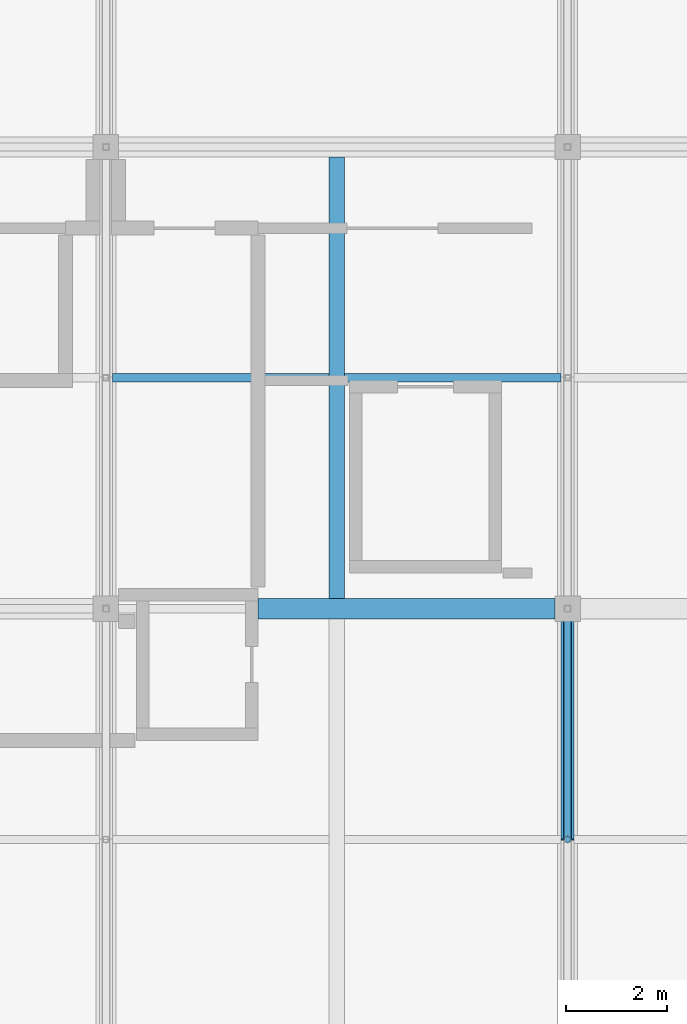
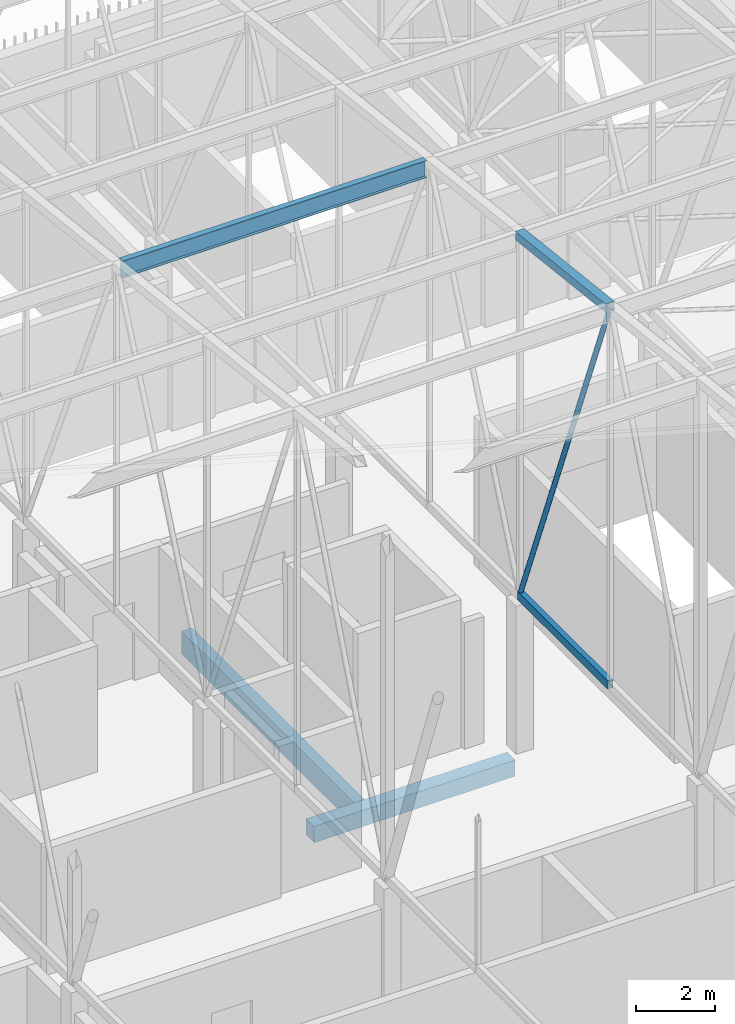
# One storey, part 381 of 500: 4 members, 2 beams.
"""IFC4 building model written with IfcOpenShell, lengths in metres."""

import ifcopenshell
import ifcopenshell.guid

model = None  # the IFC model being written
_history = None  # IfcOwnerHistory: only IFC2X3 demands one
_inside = {}  # id of a spatial element -> (the spatial element, [elements in it])
_under = {}  # id of a project, library or spatial element -> (it, [spatial elements below it])
_declared = {}  # id of a project -> (the project, [libraries it declares])
_typed = {}  # id of a type object -> (the type object, [elements of that type])
_made_of = {}  # id of a material, layer set ... -> (it, [elements and type objects made of it])


def new_model(schema):
    """Start an empty IFC model of exactly this schema.

    Asked for "IFC4X3", IfcOpenShell would pick the latest addendum, in which some entities
    have other attributes; the version numbers below select the first issue.
    IFC2X3 requires an IfcOwnerHistory on every rooted entity: one is made here for all.
    """
    global model, _history
    if schema == "IFC4X3":
        model = ifcopenshell.file(schema_version=(4, 3, 0, 0))
    else:
        model = ifcopenshell.file(schema=schema)
    _inside.clear()
    _under.clear()
    _declared.clear()
    _typed.clear()
    _made_of.clear()
    _history = None
    if model.schema == "IFC2X3":
        org = make("IfcOrganization", Name="unknown")
        user = make(
            "IfcPersonAndOrganization",
            ThePerson=make("IfcPerson", FamilyName="unknown"),
            TheOrganization=org,
        )
        app = make(
            "IfcApplication",
            ApplicationDeveloper=org,
            Version="unknown",
            ApplicationFullName="unknown",
            ApplicationIdentifier="unknown",
        )
        _history = make(
            "IfcOwnerHistory",
            OwningUser=user,
            OwningApplication=app,
            ChangeAction="ADDED",
            CreationDate=0,
        )
    return model


def make(cls, **values):
    """One entity of the class cls with the attributes given. An attribute that is None is left unset."""
    return model.create_entity(
        cls, **{name: value for name, value in values.items() if value is not None}
    )


def rooted(cls, **values):
    """An entity with a GlobalId (a new one), such as an element, a storey or a relation."""
    return make(cls, GlobalId=ifcopenshell.guid.new(), OwnerHistory=_history, **values)


def si_unit(unit_type, name, prefix=None):
    """IfcSIUnit, for example si_unit("LENGTHUNIT", "METRE", prefix="MILLI")."""
    return make("IfcSIUnit", UnitType=unit_type, Prefix=prefix, Name=name)


def assignment(units):
    """IfcUnitAssignment: the units of a project."""
    return None if units is None else make("IfcUnitAssignment", Units=units)


def point(xyz):
    """IfcCartesianPoint."""
    return None if xyz is None else make("IfcCartesianPoint", Coordinates=xyz)


def direction(xyz):
    """IfcDirection."""
    return None if xyz is None else make("IfcDirection", DirectionRatios=xyz)


def frame(location, z_axis=None, x_axis=None):
    """IfcAxis2Placement3D, a coordinate frame: its origin and axes. An axis left out is left unset."""
    return make(
        "IfcAxis2Placement3D",
        Location=point(location),
        Axis=direction(z_axis),
        RefDirection=direction(x_axis),
    )


def frame_2d(location, x_axis=None):
    """IfcAxis2Placement2D, a coordinate frame in the plane: its origin and x axis."""
    return make(
        "IfcAxis2Placement2D", Location=point(location), RefDirection=direction(x_axis)
    )


def origin():
    """The frame at (0, 0, 0) with its axes left unset."""
    return frame((0.0, 0.0, 0.0))


def origin_2d():
    """The frame at (0, 0) in the plane with its x axis left unset."""
    return frame_2d((0.0, 0.0))


def place(relative_to, where):
    """IfcLocalPlacement: puts the frame where relative to a parent placement (None: the world)."""
    return make(
        "IfcLocalPlacement", PlacementRelTo=relative_to, RelativePlacement=where
    )


def context(
    kind, dimensions, precision=None, world=None, true_north=None, identifier=None
):
    """IfcGeometricRepresentationContext, for example the 3D "Model" context."""
    return make(
        "IfcGeometricRepresentationContext",
        ContextIdentifier=identifier,
        ContextType=kind,
        CoordinateSpaceDimension=dimensions,
        Precision=precision,
        WorldCoordinateSystem=world,
        TrueNorth=true_north,
    )


def subcontext(parent, identifier, kind, view, scale=None):
    """IfcGeometricRepresentationSubContext, for example "Body" below "Model"."""
    return make(
        "IfcGeometricRepresentationSubContext",
        ContextIdentifier=identifier,
        ContextType=kind,
        ParentContext=parent,
        TargetScale=scale,
        TargetView=view,
    )


def project(units=None, contexts=None):
    """IfcProject with its units and contexts."""
    return rooted(
        "IfcProject",
        Name="project",
        RepresentationContexts=contexts,
        UnitsInContext=assignment(units),
    )


def spatial(cls, under=None, at=None, **own):
    """A site, building, storey or space (cls), placed at a placement, below another one or the project."""
    s = rooted(cls, ObjectPlacement=at, **own)
    if under is not None:
        _under.setdefault(under.id(), (under, []))[1].append(s)
    return s


def profile(cls, at=None, kind="AREA", **sizes):
    """A parametric profile (cls). Its sizes go by their IFC names, for example OverallWidth=200.0."""
    return make(cls, ProfileType=kind, Position=at, **sizes)


def rectangle(**sizes):
    """IfcRectangleProfileDef."""
    return profile("IfcRectangleProfileDef", **sizes)


def hollow_rectangle(**sizes):
    """IfcRectangleHollowProfileDef."""
    return profile("IfcRectangleHollowProfileDef", **sizes)


def hollow_circle(**sizes):
    """IfcCircleHollowProfileDef."""
    return profile("IfcCircleHollowProfileDef", **sizes)


def i_section(**sizes):
    """IfcIShapeProfileDef."""
    return profile("IfcIShapeProfileDef", **sizes)


def extrude(swept, where, along, depth):
    """IfcExtrudedAreaSolid: the profile swept, set in the frame where, extruded along a direction by depth."""
    return make(
        "IfcExtrudedAreaSolid",
        SweptArea=swept,
        Position=where,
        ExtrudedDirection=direction(along),
        Depth=depth,
    )


def shape(context_of_items, identifier, shape_type, items):
    """IfcShapeRepresentation: the items that make up one representation, for example the "Body"."""
    return make(
        "IfcShapeRepresentation",
        ContextOfItems=context_of_items,
        RepresentationIdentifier=identifier,
        RepresentationType=shape_type,
        Items=items,
    )


def material(Name=None, Category=None):
    """IfcMaterial."""
    return make("IfcMaterial", Name=Name, Category=Category)


def material_profile(
    of_material, cross_section, Name=None, Category=None, Priority=None
):
    """IfcMaterialProfile: a cross section and its material."""
    return make(
        "IfcMaterialProfile",
        Name=Name,
        Material=of_material,
        Profile=cross_section,
        Priority=Priority,
        Category=Category,
    )


def profile_set(profiles, Name=None, composite=None):
    """IfcMaterialProfileSet."""
    return make(
        "IfcMaterialProfileSet",
        Name=Name,
        MaterialProfiles=profiles,
        CompositeProfile=composite,
    )


def made_of(thing, what):
    """Note that an element or type object is made of a material, layer set ...; save() writes the relation."""
    if what is not None:
        _made_of.setdefault(what.id(), (what, []))[1].append(thing)
    return thing


def type_object(cls, material=None, **own):
    """A type object (cls), such as IfcWallType, which elements share."""
    return made_of(rooted(cls, **own), material)


def element(
    cls,
    number,
    at=None,
    inside=None,
    cuts=None,
    type_object=None,
    material=None,
    context=None,
    identifier="Body",
    shape_type=None,
    held_by="IfcProductDefinitionShape",
    body=None,
    shapes=None,
    **own,
):
    """One element of the class cls, such as IfcWall. Its Tag is "e" and its number.

    at: its placement. inside: the storey or other place that contains it. cuts: it is an
    opening in that element (IfcRelVoidsElement). A single representation is given by context,
    identifier, shape_type and body (its items); several are given by shapes. held_by: the class
    of the entity that holds the representations. save() writes the other relations.
    """
    e = rooted(cls, Tag="e%d" % number, ObjectPlacement=at, **own)
    if body is not None:
        shapes = [shape(context, identifier, shape_type, body)]
    if shapes is not None:
        e.Representation = make(held_by, Representations=shapes)
    if inside is not None:
        _inside.setdefault(inside.id(), (inside, []))[1].append(e)
    if cuts is not None:
        rooted(
            "IfcRelVoidsElement", RelatingBuildingElement=cuts, RelatedOpeningElement=e
        )
    if type_object is not None:
        _typed.setdefault(type_object.id(), (type_object, []))[1].append(e)
    return made_of(e, material)


def aggregate(whole, parts):
    """IfcRelAggregates: a whole, such as a stair, and the parts it consists of."""
    return rooted("IfcRelAggregates", RelatingObject=whole, RelatedObjects=parts)


def save(model, path):
    """Write the relations noted so far, then the file.

    IfcRelAggregates (storeys below a building ...), IfcRelContainedInSpatialStructure (elements
    in a storey), IfcRelDefinesByType, IfcRelAssociatesMaterial and IfcRelDeclares: one each for
    every whole, place, type object, material and project.
    """
    for whole, parts in _under.values():
        aggregate(whole, parts)
    for where, things in _inside.values():
        rooted(
            "IfcRelContainedInSpatialStructure",
            RelatedElements=things,
            RelatingStructure=where,
        )
    for kind, things in _typed.values():
        rooted("IfcRelDefinesByType", RelatedObjects=things, RelatingType=kind)
    for what, things in _made_of.values():
        rooted("IfcRelAssociatesMaterial", RelatedObjects=things, RelatingMaterial=what)
    for by, libraries in _declared.values():
        rooted("IfcRelDeclares", RelatingContext=by, RelatedDefinitions=libraries)
    model.write(path)


model = new_model("IFC4")

# Units and contexts
model_context = context("Model", 3, precision=1e-05, world=origin(), true_north=direction((0.0, 1.0)))
body_context = subcontext(model_context, "Body", "Model", "MODEL_VIEW")
ifc_project = project(units=[si_unit("LENGTHUNIT", "METRE"), si_unit("AREAUNIT", "SQUARE_METRE"), si_unit("VOLUMEUNIT", "CUBIC_METRE"), si_unit("PLANEANGLEUNIT", "RADIAN"), si_unit("MASSUNIT", "GRAM", prefix="KILO")], contexts=[model_context])

# Site, building, storey
site_placement = place(None, origin())
site = spatial("IfcSite", under=ifc_project, at=site_placement, CompositionType="ELEMENT")
building_placement = place(site_placement, origin())
building = spatial("IfcBuilding", under=site, at=building_placement, Name="Shirokan Park Arena", CompositionType="ELEMENT")
storey_placement = place(building_placement, frame((0.0, 0.0, 29.1201171875)))
storey = spatial("IfcBuildingStorey", under=building, at=storey_placement, Name="L06", CompositionType="ELEMENT", Elevation=29.1201171875)

# Members
ifc_material_1 = material(Name="Steel ASTM A500 Grade C", Category="steel")
ifc_material_profile_1 = material_profile(ifc_material_1, hollow_rectangle(XDim=0.152099609375, YDim=0.25390625, WallThickness=0.009521484375, at=origin_2d()), Name="HSS254X152.4X9.5")
ifc_profile_set_1 = profile_set([ifc_material_profile_1], Name="Steel ASTM A500 Grade C")
member_type_1 = type_object("IfcMemberType", Name="Bottom chord HSS254X152.4X9.5", PredefinedType="CHORD", material=ifc_profile_set_1)
member_1_placement = place(storey_placement, frame((127.39990234375, 77.35009765625, 4.677001953125), z_axis=(0.0, 1.0, 0.0), x_axis=(-1.0, 0.0, 0.0)))
element("IfcMember", 1, at=member_1_placement, inside=storey, type_object=member_type_1, Name="Truss T15 bottom chord 20", PredefinedType="CHORD", context=body_context, shape_type="SweptSolid", body=[
    extrude(hollow_rectangle(XDim=0.152099609375, YDim=0.25390625, WallThickness=0.009521484375, at=origin_2d()), origin(), (0.0, 0.0, 1.0), 4.5498046875),
])
ifc_material_2 = material(Name="Steel ASTM A992", Category="steel")
ifc_material_profile_2 = material_profile(ifc_material_2, i_section(OverallWidth=0.166015625, OverallDepth=0.528076171875, WebThickness=0.009765625, FlangeThickness=0.013671875, at=origin_2d()), Name="W530X74")
ifc_profile_set_2 = profile_set([ifc_material_profile_2], Name="Steel ASTM A992")
member_type_2 = type_object("IfcMemberType", Name="Purlin W530X74", PredefinedType="PURLIN", material=ifc_profile_set_2)
member_2_placement = place(storey_placement, frame((118.427001953125, 86.449951171875, 15.0859375), z_axis=(1.0, 0.0, 0.0), x_axis=(0.0, 1.0, 0.0)))
element("IfcMember", 2, at=member_2_placement, inside=storey, type_object=member_type_2, Name="Purlin 22 bay 14", PredefinedType="PURLIN", context=body_context, shape_type="SweptSolid", body=[
    extrude(i_section(OverallWidth=0.166015625, OverallDepth=0.528076171875, WebThickness=0.009765625, FlangeThickness=0.013671875, at=origin_2d()), origin(), (0.0, 0.0, 1.0), 8.845947265625),
])

# Beams
ifc_material_3 = material(Name="Concrete C35", Category="concrete")
ifc_material_profile_3 = material_profile(ifc_material_3, rectangle(XDim=0.39990234375, YDim=0.5, at=origin_2d()), Name="400x500")
ifc_profile_set_3 = profile_set([ifc_material_profile_3], Name="Concrete C35")
beam_type_1 = type_object("IfcBeamType", Name="RC girder 400x500", PredefinedType="BEAM", material=ifc_profile_set_3)
beam_1_placement = place(storey_placement, frame((121.300048828125, 81.89990234375, -0.4501953125), z_axis=(1.0, 0.0, 0.0), x_axis=(0.0, 1.0, 0.0)))
element("IfcBeam", 3, at=beam_1_placement, inside=storey, type_object=beam_type_1, Name="Girder 14K-15K L06", PredefinedType="BEAM", context=body_context, shape_type="SweptSolid", body=[
    extrude(rectangle(XDim=0.39990234375, YDim=0.5, at=origin_2d()), origin(), (0.0, 0.0, 1.0), 5.849853515625),
])
ifc_material_profile_4 = material_profile(ifc_material_3, rectangle(XDim=0.300048828125, YDim=0.699951171875, at=origin_2d()), Name="300x700")
ifc_profile_set_4 = profile_set([ifc_material_profile_4], Name="Concrete C35")
beam_type_2 = type_object("IfcBeamType", Name="RC joist 300x700", PredefinedType="JOIST", material=ifc_profile_set_4)
beam_2_placement = place(storey_placement, frame((122.85009765625, 82.10009765625, -0.550048828125), z_axis=(0.0, 1.0, 0.0), x_axis=(-1.0, 0.0, 0.0)))
element("IfcBeam", 4, at=beam_2_placement, inside=storey, type_object=beam_type_2, Name="Joist 14K L06", PredefinedType="JOIST", context=body_context, shape_type="SweptSolid", body=[
    extrude(rectangle(XDim=0.300048828125, YDim=0.699951171875, at=origin_2d()), origin(), (0.0, 0.0, 1.0), 8.699951171875),
])

# Members
ifc_material_profile_5 = material_profile(ifc_material_1, hollow_rectangle(XDim=0.25390625, YDim=0.25390625, WallThickness=0.009521484375, at=origin_2d()), Name="HSS254X254X9.5")
ifc_profile_set_5 = profile_set([ifc_material_profile_5], Name="Steel ASTM A500 Grade C")
member_type_3 = type_object("IfcMemberType", Name="Top chord HSS254X254X9.5", PredefinedType="CHORD", material=ifc_profile_set_5)
member_3_placement = place(storey_placement, frame((127.39990234375, 77.35009765625, 16.262939453125), z_axis=(0.0, 0.993531641592, -0.11355561261), x_axis=(-1.0, 0.0, 0.0)))
element("IfcMember", 5, at=member_3_placement, inside=storey, type_object=member_type_3, Name="Truss T15 top chord 20", PredefinedType="CHORD", context=body_context, shape_type="SweptSolid", body=[
    extrude(hollow_rectangle(XDim=0.25390625, YDim=0.25390625, WallThickness=0.009521484375, at=origin_2d()), origin(), (0.0, 0.0, 1.0), 4.579345703125),
])
ifc_material_profile_6 = material_profile(ifc_material_1, hollow_circle(Radius=0.070556640625, WallThickness=0.006591796875, at=origin_2d()), Name="HSS141.3X6.6")
ifc_profile_set_6 = profile_set([ifc_material_profile_6], Name="Steel ASTM A500 Grade C")
member_type_4 = type_object("IfcMemberType", Name="Truss diagonal HSS141.3X6.6", PredefinedType="BRACE", material=ifc_profile_set_6)
member_4_placement = place(storey_placement, frame((127.39990234375, 77.35009765625, 16.262939453125), z_axis=(0.0, 0.365526146051, -0.930801072493), x_axis=(-1.0, 0.0, 0.0)))
element("IfcMember", 6, at=member_4_placement, inside=storey, type_object=member_type_4, Name="Truss T15 diagonal 20", PredefinedType="BRACE", context=body_context, shape_type="SweptSolid", body=[
    extrude(hollow_circle(Radius=0.070556640625, WallThickness=0.006591796875, at=origin_2d()), origin(), (0.0, 0.0, 1.0), 12.447265625),
])

save(model, "model.ifc")
